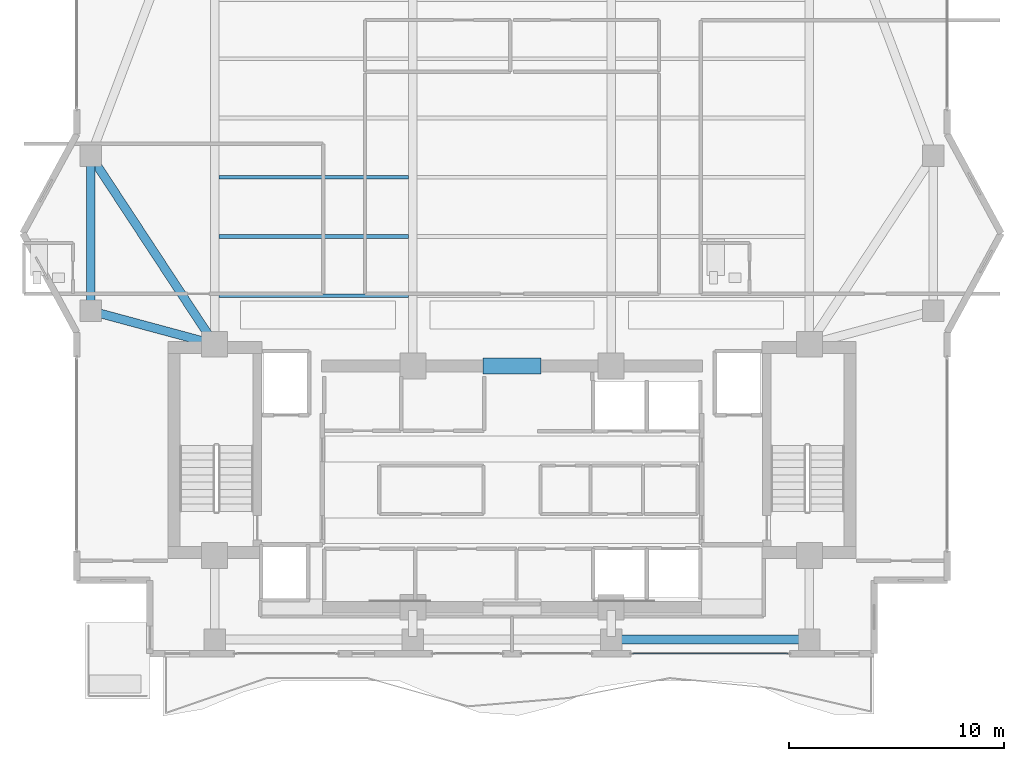
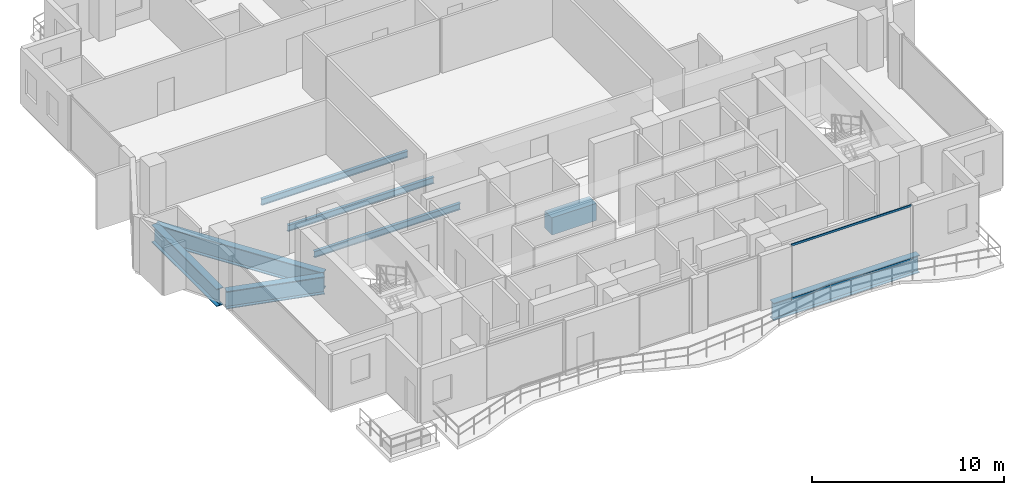
# One storey, part 6 of 28: 8 beams, 2 members, 1 element without a shape of its own.
"""IFC4 building model written with IfcOpenShell, lengths in metres."""

from ifc_helpers import new_model, si_unit, direction, frame, origin, origin_2d, place, context, subcontext, project, spatial, rectangle, hollow_rectangle, i_section, extrude, material, layer, layer_set, material_profile, profile_set, type_object, element, aggregate, save


model = new_model("IFC4")

# Units and contexts
model_context = context("Model", 3, precision=1e-05, world=origin(), true_north=direction((0.0, 1.0)))
body_context = subcontext(model_context, "Body", "Model", "MODEL_VIEW")
ifc_project = project(units=[si_unit("LENGTHUNIT", "METRE"), si_unit("AREAUNIT", "SQUARE_METRE"), si_unit("VOLUMEUNIT", "CUBIC_METRE"), si_unit("PLANEANGLEUNIT", "RADIAN"), si_unit("MASSUNIT", "GRAM", prefix="KILO")], contexts=[model_context])

# Site, building, storey
site_placement = place(None, origin())
site = spatial("IfcSite", under=ifc_project, at=site_placement, CompositionType="ELEMENT")
building_placement = place(site_placement, origin())
building = spatial("IfcBuilding", under=site, at=building_placement, Name="Zuhayl Quay Hotel", CompositionType="ELEMENT")
storey_placement = place(building_placement, frame((0.0, 0.0, 239.64990234375)))
storey = spatial("IfcBuildingStorey", under=building, at=storey_placement, Name="L60", CompositionType="ELEMENT", Elevation=239.64990234375)

# Beams
ifc_material_1 = material(Name="Concrete C60/75", Category="concrete")
ifc_material_profile_1 = material_profile(ifc_material_1, rectangle(XDim=0.75, YDim=1.10009765625, at=origin_2d()), Name="RC750X1100")
ifc_profile_set_1 = profile_set([ifc_material_profile_1], Name="Concrete C60/75")
beam_type_1 = type_object("IfcBeamType", Name="BM_CB2_RC750", PredefinedType="T_BEAM", material=ifc_profile_set_1)
beam_1_placement = place(storey_placement, frame((-1.35009765625, 13.35009765625, -0.809814453125), z_axis=(1.0, 0.0, 0.0), x_axis=(0.0, 1.0, 0.0)))
element("IfcBeam", 1, at=beam_1_placement, inside=storey, type_object=beam_type_1, Name="L60 Core Coupling Beam North", PredefinedType="T_BEAM", context=body_context, shape_type="SweptSolid", body=[
    extrude(rectangle(XDim=0.75, YDim=1.10009765625, at=origin_2d()), origin(), (0.0, 0.0, 1.0), 2.7001953125),
])
ifc_material_2 = material(Name="Steel ASTM A992 Grade 50", Category="steel")
ifc_material_profile_2 = material_profile(ifc_material_2, i_section(OverallWidth=0.177978515625, OverallDepth=0.404052734375, WebThickness=0.007568359375, FlangeThickness=0.010986328125, at=origin_2d()), Name="W16X36")
ifc_profile_set_2 = profile_set([ifc_material_profile_2], Name="Steel ASTM A992 Grade 50")
beam_type_2 = type_object("IfcBeamType", Name="BM_J3_W16X36", PredefinedType="JOIST", material=ifc_profile_set_2)
for number, where, z_axis, x_axis, name in (
    (2, (-13.60595703125, 16.60009765625, -0.4619140625), (1.0, 0.0, 0.0), (0.0, 1.0, 0.0), "L60 Floor Beam FJ_L60_1_1"),
    (3, (-13.60595703125, 19.35009765625, -0.4619140625), (1.0, 0.0, 0.0), (0.0, 1.0, 0.0), "L60 Floor Beam FJ_L60_2_1"),
    (4, (-13.60595703125, 22.10009765625, -0.4619140625), (1.0, 0.0, 0.0), (0.0, 1.0, 0.0), "L60 Floor Beam FJ_L60_3_1"),
):
    element("IfcBeam", number, at=place(storey_placement, frame(where, z_axis=z_axis, x_axis=x_axis)), inside=storey, type_object=beam_type_2, Name=name, PredefinedType="JOIST", context=body_context, shape_type="SweptSolid", body=[
        extrude(i_section(OverallWidth=0.177978515625, OverallDepth=0.404052734375, WebThickness=0.007568359375, FlangeThickness=0.010986328125, at=origin_2d()), origin(), (0.0, 0.0, 1.0), 8.81201171875),
    ])
ifc_material_3 = material(Name="Steel ASTM A913 Grade 65", Category="steel")
ifc_material_profile_3 = material_profile(ifc_material_3, i_section(OverallWidth=0.404052734375, OverallDepth=1.117919921875, WebThickness=0.026123046875, FlangeThickness=0.044921875, at=origin_2d()), Name="W44X335")
ifc_profile_set_3 = profile_set([ifc_material_profile_3], Name="Steel ASTM A913 Grade 65")
beam_type_3 = type_object("IfcBeamType", Name="BM_TG1_W44X335", PredefinedType="BEAM", material=ifc_profile_set_3)
beam_2_placement = place(storey_placement, frame((4.800048828125, 0.64990234375, -0.81884765625), z_axis=(1.0, 0.0, 0.0), x_axis=(0.0, 1.0, 0.0)))
element("IfcBeam", 5, at=beam_2_placement, inside=storey, type_object=beam_type_3, Name="L60 Floor Beam RG_L60_03", PredefinedType="BEAM", context=body_context, shape_type="SweptSolid", body=[
    extrude(i_section(OverallWidth=0.404052734375, OverallDepth=1.117919921875, WebThickness=0.026123046875, FlangeThickness=0.044921875, at=origin_2d()), origin(), (0.0, 0.0, 1.0), 8.800048828125),
])
beam_3_placement = place(storey_placement, frame((-19.550048828125, 22.89990234375, -0.81884765625), z_axis=(0.0, -1.0, 0.0), x_axis=(1.0, 0.0, 0.0)))
element("IfcBeam", 6, at=beam_3_placement, inside=storey, type_object=beam_type_3, Name="L60 Floor Beam RG_L60_11", PredefinedType="BEAM", context=body_context, shape_type="SweptSolid", body=[
    extrude(i_section(OverallWidth=0.404052734375, OverallDepth=1.117919921875, WebThickness=0.026123046875, FlangeThickness=0.044921875, at=origin_2d()), origin(), (0.0, 0.0, 1.0), 6.7998046875),
])
beam_4_placement = place(storey_placement, frame((-19.35693359375, 15.847900390625, -0.81884765625), z_axis=(0.965531730785, -0.260285375784, 0.0), x_axis=(0.260285375784, 0.965531730785, 0.0)))
element("IfcBeam", 7, at=beam_4_placement, inside=storey, type_object=beam_type_3, Name="L60 Floor Beam FG_W_L60_1", PredefinedType="BEAM", context=body_context, shape_type="SweptSolid", body=[
    extrude(i_section(OverallWidth=0.404052734375, OverallDepth=1.117919921875, WebThickness=0.026123046875, FlangeThickness=0.044921875, at=origin_2d()), origin(), (0.0, 0.0, 1.0), 5.30517578125),
])
beam_5_placement = place(storey_placement, frame((-19.440185546875, 22.932861328125, -0.81884765625), z_axis=(0.549180367093, -0.835703849698, 0.0), x_axis=(0.835703849698, 0.549180367093, 0.0)))
element("IfcBeam", 8, at=beam_5_placement, inside=storey, type_object=beam_type_3, Name="L60 Floor Beam FG_W_L60_2", PredefinedType="BEAM", context=body_context, shape_type="SweptSolid", body=[
    extrude(i_section(OverallWidth=0.404052734375, OverallDepth=1.117919921875, WebThickness=0.026123046875, FlangeThickness=0.044921875, at=origin_2d()), origin(), (0.0, 0.0, 1.0), 9.8203125),
])

# Curtain wall, members
ifc_material_4 = material(Name="Anodised Aluminium 6063-T6", Category="aluminium")
ifc_layer = layer(ifc_material_4, 0.169921875, Name="Anodised Aluminium 6063-T6", Category="aluminium")
ifc_layer_set = layer_set([ifc_layer], Name="Anodised Aluminium 6063-T6")
curtain_wall_type = type_object("IfcCurtainWallType", Name="CW_SYS_Z4", PredefinedType="USERDEFINED", material=ifc_layer_set)
curtain_wall_placement = place(storey_placement, origin())
curtain_wall = element("IfcCurtainWall", 9, at=curtain_wall_placement, inside=storey, type_object=curtain_wall_type, Name="L60 Curtain Wall ENV_L60_S_CW1", ObjectType="UNITISED CURTAIN WALL", PredefinedType="USERDEFINED")
ifc_material_5 = material(Name="Black-anodised aluminium 6063-T6", Category="aluminium")
ifc_material_profile_4 = material_profile(ifc_material_5, hollow_rectangle(XDim=0.054931640625, YDim=0.1298828125, WallThickness=0.0029296875, at=origin_2d()), Name="ALU130X55")
ifc_profile_set_4 = profile_set([ifc_material_profile_4], Name="Black-anodised aluminium 6063-T6")
member_type = type_object("IfcMemberType", Name="MB_CW_TRN_130", PredefinedType="USERDEFINED", material=ifc_profile_set_4)
member_1_placement = place(storey_placement, frame((12.81494140625, 0.0, 0.027587890625), z_axis=(-1.0, 0.0, 0.0), x_axis=(0.0, -1.0, 0.0)))
member_1 = element("IfcMember", 10, at=member_1_placement, type_object=member_type, Name="CW-Z4 transom 1.1", ObjectType="TRANSOM", PredefinedType="USERDEFINED", context=body_context, shape_type="SweptSolid", body=[
    extrude(hollow_rectangle(XDim=0.054931640625, YDim=0.1298828125, WallThickness=0.0029296875, at=origin_2d()), origin(), (0.0, 0.0, 1.0), 7.22998046875),
])
member_2_placement = place(storey_placement, frame((12.81494140625, 0.0, 3.45263671875), z_axis=(-1.0, 0.0, 0.0), x_axis=(0.0, -1.0, 0.0)))
member_2 = element("IfcMember", 11, at=member_2_placement, type_object=member_type, Name="CW-Z4 transom 1.2", ObjectType="TRANSOM", PredefinedType="USERDEFINED", context=body_context, shape_type="SweptSolid", body=[
    extrude(hollow_rectangle(XDim=0.054931640625, YDim=0.1298828125, WallThickness=0.0029296875, at=origin_2d()), origin(), (0.0, 0.0, 1.0), 7.22998046875),
])
aggregate(curtain_wall, [member_1, member_2])

save(model, "model.ifc")
